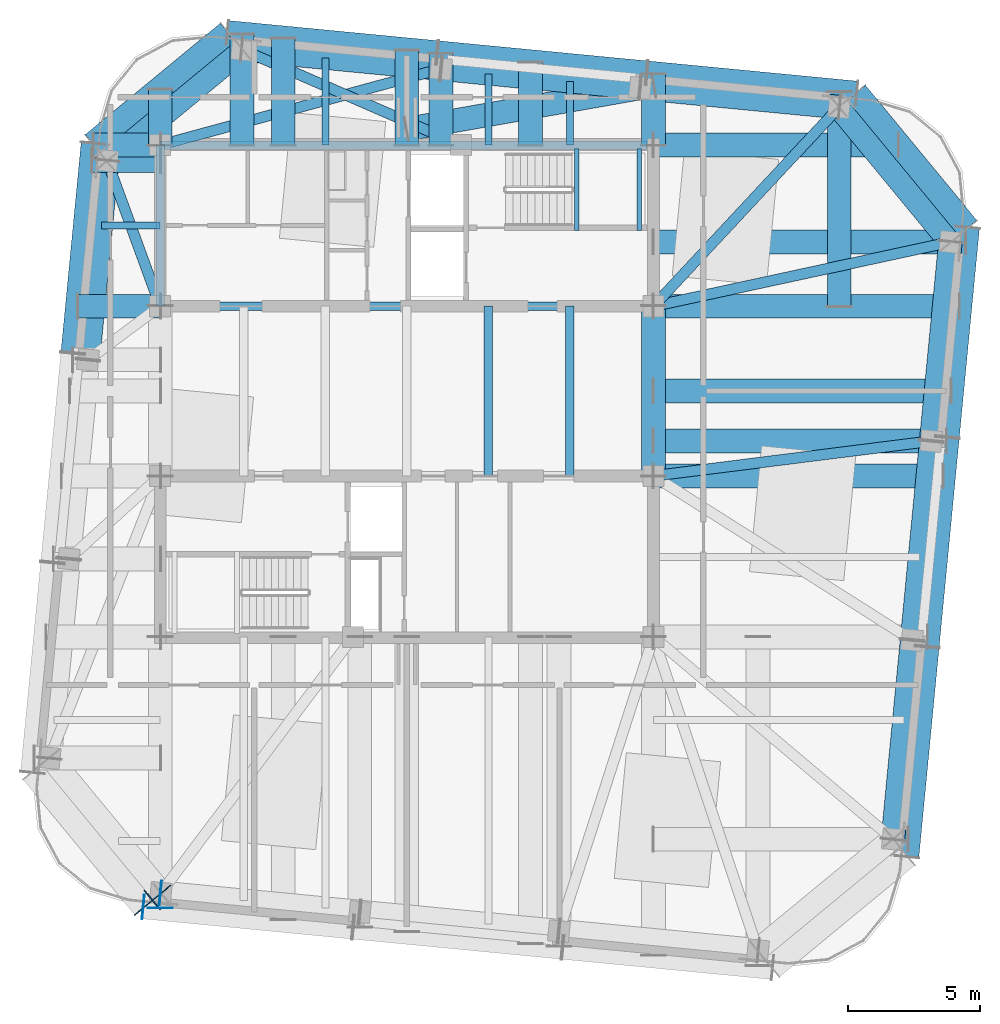
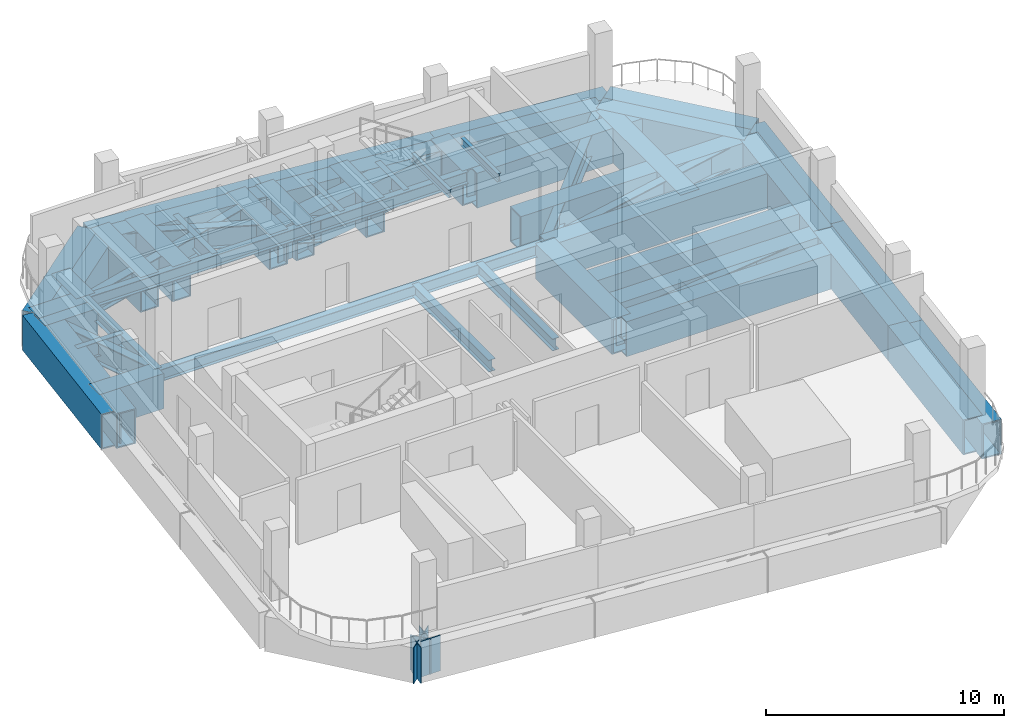
# One storey, part 2 of 10: 54 beams, 6 plates.
"""IFC4 building model written with IfcOpenShell, lengths in metres."""

from ifc_helpers import new_model, si_unit, direction, frame, origin, origin_2d, place, context, subcontext, project, spatial, rectangle, hollow_rectangle, i_section, extrude, material, layer, layer_set, material_profile, profile_set, type_object, element, save


model = new_model("IFC4")

# Units and contexts
model_context = context("Model", 3, precision=1e-05, world=origin(), true_north=direction((0.0, 1.0)))
body_context = subcontext(model_context, "Body", "Model", "MODEL_VIEW")
ifc_project = project(units=[si_unit("LENGTHUNIT", "METRE"), si_unit("AREAUNIT", "SQUARE_METRE"), si_unit("VOLUMEUNIT", "CUBIC_METRE"), si_unit("PLANEANGLEUNIT", "RADIAN"), si_unit("MASSUNIT", "GRAM", prefix="KILO")], contexts=[model_context])

# Site, building, storey
site_placement = place(None, origin())
site = spatial("IfcSite", under=ifc_project, at=site_placement, CompositionType="ELEMENT")
building_placement = place(site_placement, origin())
building = spatial("IfcBuilding", under=site, at=building_placement, Name="Qhalaya Broadcast Tower", CompositionType="ELEMENT")
storey_placement = place(building_placement, frame((0.0, 0.0, 289.25)))
storey = spatial("IfcBuildingStorey", under=building, at=storey_placement, Name="L85", CompositionType="ELEMENT", Elevation=289.25)

# Beams
ifc_material_1 = material(Name="Structural Steel ASTM A572 Grade 50", Category="steel")
ifc_material_profile_1 = material_profile(ifc_material_1, hollow_rectangle(XDim=0.89990234375, YDim=1.800048828125, WallThickness=0.06005859375, at=origin_2d()), Name="BOX 900x1800x60")
ifc_profile_set_1 = profile_set([ifc_material_profile_1], Name="Structural Steel ASTM A572 Grade 50")
beam_type_1 = type_object("IfcBeamType", Name="Block Cantilever Transfer Box Girder TG1", PredefinedType="USERDEFINED", material=ifc_profile_set_1)
beam_1_placement = place(storey_placement, frame((18.47314453125, -16.4306640625, -1.179931640625), z_axis=(0.095855022822, 0.995395305695, 0.0), x_axis=(-0.995395305695, 0.095855022822, 0.0)))
element("IfcBeam", 1, at=beam_1_placement, inside=storey, type_object=beam_type_1, Name="L85 TG1 L85-SPR-05", ObjectType="GIRDER", PredefinedType="USERDEFINED", context=body_context, shape_type="SweptSolid", body=[
    extrude(hollow_rectangle(XDim=0.89990234375, YDim=1.800048828125, WallThickness=0.06005859375, at=origin_2d()), origin(), (0.0, 0.0, 1.0), 7.60009765625),
])
for number, where, z_axis, x_axis, name in (
    (2, (19.20166015625, -8.865478515625, -1.179931640625), (0.095858087892, 0.995395010529, 0.0), (-0.995395010529, 0.095858087892, 0.0), "L85 TG1 L85-SPR-06"),
    (3, (19.93017578125, -1.300537109375, -1.179931640625), (0.095826258901, 0.995398075197, 0.0), (-0.995398075197, 0.095826258901, 0.0), "L85 TG1 L85-SPR-07"),
):
    element("IfcBeam", number, at=place(storey_placement, frame(where, z_axis=z_axis, x_axis=x_axis)), inside=storey, type_object=beam_type_1, Name=name, ObjectType="GIRDER", PredefinedType="USERDEFINED", context=body_context, shape_type="SweptSolid", body=[
        extrude(hollow_rectangle(XDim=0.89990234375, YDim=1.800048828125, WallThickness=0.06005859375, at=origin_2d()), origin(), (0.0, 0.0, 1.0), 7.599853515625),
    ])
beam_2_placement = place(storey_placement, frame((20.658447265625, 6.264404296875, -1.179931640625), z_axis=(-0.636063812645, 0.771636459898, 0.0), x_axis=(-0.771636459898, -0.636063812645, 0.0)))
element("IfcBeam", 4, at=beam_2_placement, inside=storey, type_object=beam_type_1, Name="L85 TG1 L85-SPR-08", ObjectType="GIRDER", PredefinedType="USERDEFINED", context=body_context, shape_type="SweptSolid", body=[
    extrude(hollow_rectangle(XDim=0.89990234375, YDim=1.800048828125, WallThickness=0.06005859375, at=origin_2d()), origin(), (0.0, 0.0, 1.0), 6.646728515625),
])
beam_3_placement = place(storey_placement, frame((16.4306640625, 11.393310546875, -1.179931640625), z_axis=(-0.995398370168, 0.09582319483, 0.0), x_axis=(-0.09582319483, -0.995398370168, 0.0)))
element("IfcBeam", 5, at=beam_3_placement, inside=storey, type_object=beam_type_1, Name="L85 TG1 L85-SPR-09", ObjectType="GIRDER", PredefinedType="USERDEFINED", context=body_context, shape_type="SweptSolid", body=[
    extrude(hollow_rectangle(XDim=0.89990234375, YDim=1.800048828125, WallThickness=0.06005859375, at=origin_2d()), origin(), (0.0, 0.0, 1.0), 7.60009765625),
])
for number, where, z_axis, x_axis, name in (
    (6, (8.865478515625, 12.12158203125, -1.179931640625), (-0.995395010529, 0.095858087892, 0.0), (-0.095858087892, -0.995395010529, 0.0), "L85 TG1 L85-SPR-10"),
    (7, (1.300537109375, 12.85009765625, -1.179931640625), (-0.995395010529, 0.095858087892, 0.0), (-0.095858087892, -0.995395010529, 0.0), "L85 TG1 L85-SPR-11"),
):
    element("IfcBeam", number, at=place(storey_placement, frame(where, z_axis=z_axis, x_axis=x_axis)), inside=storey, type_object=beam_type_1, Name=name, ObjectType="GIRDER", PredefinedType="USERDEFINED", context=body_context, shape_type="SweptSolid", body=[
        extrude(hollow_rectangle(XDim=0.89990234375, YDim=1.800048828125, WallThickness=0.06005859375, at=origin_2d()), origin(), (0.0, 0.0, 1.0), 7.599853515625),
    ])
beam_4_placement = place(storey_placement, frame((-6.264404296875, 13.57861328125, -1.179931640625), z_axis=(-0.771618432262, -0.636085682117, 0.0), x_axis=(0.636085682117, -0.771618432262, 0.0)))
element("IfcBeam", 8, at=beam_4_placement, inside=storey, type_object=beam_type_1, Name="L85 TG1 L85-SPR-12", ObjectType="GIRDER", PredefinedType="USERDEFINED", context=body_context, shape_type="SweptSolid", body=[
    extrude(hollow_rectangle(XDim=0.89990234375, YDim=1.800048828125, WallThickness=0.06005859375, at=origin_2d()), origin(), (0.0, 0.0, 1.0), 6.64697265625),
])
beam_5_placement = place(storey_placement, frame((-11.393310546875, 9.3505859375, -1.179931640625), z_axis=(-0.095826258901, -0.995398075197, 0.0), x_axis=(0.995398075197, -0.095826258901, 0.0)))
element("IfcBeam", 9, at=beam_5_placement, inside=storey, type_object=beam_type_1, Name="L85 TG1 L85-SPR-13", ObjectType="GIRDER", PredefinedType="USERDEFINED", context=body_context, shape_type="SweptSolid", body=[
    extrude(hollow_rectangle(XDim=0.89990234375, YDim=1.800048828125, WallThickness=0.06005859375, at=origin_2d()), origin(), (0.0, 0.0, 1.0), 7.599853515625),
])
beam_6_placement = place(storey_placement, frame((19.012939453125, -17.08544921875, -1.179931640625), z_axis=(0.095856036684, 0.995395208061, 0.0), x_axis=(-0.995395208061, 0.095856036684, 0.0)))
element("IfcBeam", 10, at=beam_6_placement, inside=storey, type_object=beam_type_1, Name="L85 TG1 L85-TGL-05", ObjectType="GIRDER", PredefinedType="USERDEFINED", context=body_context, shape_type="SweptSolid", body=[
    extrude(hollow_rectangle(XDim=0.89990234375, YDim=1.800048828125, WallThickness=0.06005859375, at=origin_2d()), origin(), (0.0, 0.0, 1.0), 8.0),
])
beam_7_placement = place(storey_placement, frame((19.77978515625, -9.122314453125, -1.179931640625), z_axis=(0.095822888434, 0.995398399663, 0.0), x_axis=(-0.995398399663, 0.095822888434, 0.0)))
element("IfcBeam", 11, at=beam_7_placement, inside=storey, type_object=beam_type_1, Name="L85 TG1 L85-TGL-06", ObjectType="GIRDER", PredefinedType="USERDEFINED", context=body_context, shape_type="SweptSolid", body=[
    extrude(hollow_rectangle(XDim=0.89990234375, YDim=1.800048828125, WallThickness=0.06005859375, at=origin_2d()), origin(), (0.0, 0.0, 1.0), 8.000244140625),
])
beam_8_placement = place(storey_placement, frame((20.54638671875, -1.158935546875, -1.179931640625), z_axis=(0.095856036684, 0.995395208061, 0.0), x_axis=(-0.995395208061, 0.095856036684, 0.0)))
element("IfcBeam", 12, at=beam_8_placement, inside=storey, type_object=beam_type_1, Name="L85 TG1 L85-TGL-07", ObjectType="GIRDER", PredefinedType="USERDEFINED", context=body_context, shape_type="SweptSolid", body=[
    extrude(hollow_rectangle(XDim=0.89990234375, YDim=1.800048828125, WallThickness=0.06005859375, at=origin_2d()), origin(), (0.0, 0.0, 1.0), 8.0),
])
beam_9_placement = place(storey_placement, frame((21.313232421875, 6.80419921875, -1.179931640625), z_axis=(-0.636063812645, 0.771636459898, 0.0), x_axis=(-0.771636459898, -0.636063812645, 0.0)))
element("IfcBeam", 13, at=beam_9_placement, inside=storey, type_object=beam_type_1, Name="L85 TG1 L85-TGL-08", ObjectType="GIRDER", PredefinedType="USERDEFINED", context=body_context, shape_type="SweptSolid", body=[
    extrude(hollow_rectangle(XDim=0.89990234375, YDim=1.800048828125, WallThickness=0.06005859375, at=origin_2d()), origin(), (0.0, 0.0, 1.0), 6.646728515625),
])
beam_10_placement = place(storey_placement, frame((17.08544921875, 11.93310546875, -1.179931640625), z_axis=(-0.995398119444, 0.095825799278, 0.0), x_axis=(-0.095825799278, -0.995398119444, 0.0)))
element("IfcBeam", 14, at=beam_10_placement, inside=storey, type_object=beam_type_1, Name="L85 TG1 L85-TGL-09", ObjectType="GIRDER", PredefinedType="USERDEFINED", context=body_context, shape_type="SweptSolid", body=[
    extrude(hollow_rectangle(XDim=0.89990234375, YDim=1.800048828125, WallThickness=0.06005859375, at=origin_2d()), origin(), (0.0, 0.0, 1.0), 8.0),
])
beam_11_placement = place(storey_placement, frame((9.122314453125, 12.69970703125, -1.179931640625), z_axis=(-0.995395488456, 0.095853124938, 0.0), x_axis=(-0.095853124938, -0.995395488456, 0.0)))
element("IfcBeam", 15, at=beam_11_placement, inside=storey, type_object=beam_type_1, Name="L85 TG1 L85-TGL-10", ObjectType="GIRDER", PredefinedType="USERDEFINED", context=body_context, shape_type="SweptSolid", body=[
    extrude(hollow_rectangle(XDim=0.89990234375, YDim=1.800048828125, WallThickness=0.06005859375, at=origin_2d()), origin(), (0.0, 0.0, 1.0), 8.000244140625),
])
beam_12_placement = place(storey_placement, frame((1.158935546875, 13.466552734375, -1.179931640625), z_axis=(-0.995395208061, 0.095856036684, 0.0), x_axis=(-0.095856036684, -0.995395208061, 0.0)))
element("IfcBeam", 16, at=beam_12_placement, inside=storey, type_object=beam_type_1, Name="L85 TG1 L85-TGL-11", ObjectType="GIRDER", PredefinedType="USERDEFINED", context=body_context, shape_type="SweptSolid", body=[
    extrude(hollow_rectangle(XDim=0.89990234375, YDim=1.800048828125, WallThickness=0.06005859375, at=origin_2d()), origin(), (0.0, 0.0, 1.0), 8.0),
])
beam_13_placement = place(storey_placement, frame((-6.80419921875, 14.2333984375, -1.179931640625), z_axis=(-0.771618432262, -0.636085682117, 0.0), x_axis=(0.636085682117, -0.771618432262, 0.0)))
element("IfcBeam", 17, at=beam_13_placement, inside=storey, type_object=beam_type_1, Name="L85 TG1 L85-TGL-12", ObjectType="GIRDER", PredefinedType="USERDEFINED", context=body_context, shape_type="SweptSolid", body=[
    extrude(hollow_rectangle(XDim=0.89990234375, YDim=1.800048828125, WallThickness=0.06005859375, at=origin_2d()), origin(), (0.0, 0.0, 1.0), 6.64697265625),
])
beam_14_placement = place(storey_placement, frame((-11.93310546875, 10.00537109375, -1.179931640625), z_axis=(-0.095825799278, -0.995398119444, 0.0), x_axis=(0.995398119444, -0.095825799278, 0.0)))
element("IfcBeam", 18, at=beam_14_placement, inside=storey, type_object=beam_type_1, Name="L85 TG1 L85-TGL-13", ObjectType="GIRDER", PredefinedType="USERDEFINED", context=body_context, shape_type="SweptSolid", body=[
    extrude(hollow_rectangle(XDim=0.89990234375, YDim=1.800048828125, WallThickness=0.06005859375, at=origin_2d()), origin(), (0.0, 0.0, 1.0), 8.0),
])
beam_15_placement = place(storey_placement, frame((-9.375, 9.949951171875, -1.179931640625), z_axis=(0.0, 1.0, 0.0), x_axis=(-1.0, 0.0, 0.0)))
element("IfcBeam", 19, at=beam_15_placement, inside=storey, type_object=beam_type_1, Name="L85 TG1 L85-TGINW-1", ObjectType="GIRDER", PredefinedType="USERDEFINED", context=body_context, shape_type="SweptSolid", body=[
    extrude(hollow_rectangle(XDim=0.89990234375, YDim=1.800048828125, WallThickness=0.06005859375, at=origin_2d()), origin(), (0.0, 0.0, 1.0), 2.1123046875),
])
beam_16_placement = place(storey_placement, frame((9.375, 9.949951171875, -1.179931640625), z_axis=(0.0, 1.0, 0.0), x_axis=(-1.0, 0.0, 0.0)))
element("IfcBeam", 20, at=beam_16_placement, inside=storey, type_object=beam_type_1, Name="L85 TG1 L85-TGINE-1", ObjectType="GIRDER", PredefinedType="USERDEFINED", context=body_context, shape_type="SweptSolid", body=[
    extrude(hollow_rectangle(XDim=0.89990234375, YDim=1.800048828125, WallThickness=0.06005859375, at=origin_2d()), origin(), (0.0, 0.0, 1.0), 2.685302734375),
])
beam_17_placement = place(storey_placement, frame((0.0, 9.949951171875, -1.179931640625), z_axis=(0.0, 1.0, 0.0), x_axis=(-1.0, 0.0, 0.0)))
element("IfcBeam", 21, at=beam_17_placement, inside=storey, type_object=beam_type_1, Name="L85 TG1 L85-TGIMN-1", ObjectType="GIRDER", PredefinedType="USERDEFINED", context=body_context, shape_type="SweptSolid", body=[
    extrude(hollow_rectangle(XDim=0.89990234375, YDim=1.800048828125, WallThickness=0.06005859375, at=origin_2d()), origin(), (0.0, 0.0, 1.0), 3.587890625),
])
beam_18_placement = place(storey_placement, frame((-4.699951171875, 9.949951171875, -1.179931640625), z_axis=(0.0, 1.0, 0.0), x_axis=(-1.0, 0.0, 0.0)))
element("IfcBeam", 22, at=beam_18_placement, inside=storey, type_object=beam_type_1, Name="L85 TG1 L85-TGIMNW-1", ObjectType="GIRDER", PredefinedType="USERDEFINED", context=body_context, shape_type="SweptSolid", body=[
    extrude(hollow_rectangle(XDim=0.89990234375, YDim=1.800048828125, WallThickness=0.06005859375, at=origin_2d()), origin(), (0.0, 0.0, 1.0), 4.04052734375),
])
beam_19_placement = place(storey_placement, frame((9.375, 0.60009765625, -1.179931640625), z_axis=(1.0, 0.0, 0.0), x_axis=(0.0, 1.0, 0.0)))
element("IfcBeam", 23, at=beam_19_placement, inside=storey, type_object=beam_type_1, Name="L85 TG1 L85-TGIYE-1", ObjectType="GIRDER", PredefinedType="USERDEFINED", context=body_context, shape_type="SweptSolid", body=[
    extrude(hollow_rectangle(XDim=0.89990234375, YDim=1.800048828125, WallThickness=0.06005859375, at=origin_2d()), origin(), (0.0, 0.0, 1.0), 11.30078125),
])
beam_20_placement = place(storey_placement, frame((9.375, -2.625, -1.179931640625), z_axis=(0.0, 1.0, 0.0), x_axis=(-1.0, 0.0, 0.0)))
element("IfcBeam", 24, at=beam_20_placement, inside=storey, type_object=beam_type_1, Name="L85 TG1 L85-TGIME-1", ObjectType="GIRDER", PredefinedType="USERDEFINED", context=body_context, shape_type="SweptSolid", body=[
    extrude(hollow_rectangle(XDim=0.89990234375, YDim=1.800048828125, WallThickness=0.06005859375, at=origin_2d()), origin(), (0.0, 0.0, 1.0), 6.449951171875),
])
beam_21_placement = place(storey_placement, frame((9.375, -2.625, -1.179931640625), z_axis=(1.0, 0.0, 0.0), x_axis=(0.0, 1.0, 0.0)))
element("IfcBeam", 25, at=beam_21_placement, inside=storey, type_object=beam_type_1, Name="L85 TG1 L85-TGIY2E-1", ObjectType="GIRDER", PredefinedType="USERDEFINED", context=body_context, shape_type="SweptSolid", body=[
    extrude(hollow_rectangle(XDim=0.89990234375, YDim=1.800048828125, WallThickness=0.06005859375, at=origin_2d()), origin(), (0.0, 0.0, 1.0), 10.989990234375),
])
beam_22_placement = place(storey_placement, frame((-12.48779296875, 3.824951171875, -1.179931640625), z_axis=(1.0, 0.0, 0.0), x_axis=(0.0, 1.0, 0.0)))
element("IfcBeam", 26, at=beam_22_placement, inside=storey, type_object=beam_type_1, Name="L85 TG1 L85-TGIY3W-1", ObjectType="GIRDER", PredefinedType="USERDEFINED", context=body_context, shape_type="SweptSolid", body=[
    extrude(hollow_rectangle(XDim=0.89990234375, YDim=1.800048828125, WallThickness=0.06005859375, at=origin_2d()), origin(), (0.0, 0.0, 1.0), 3.11279296875),
])
beam_23_placement = place(storey_placement, frame((9.375, 3.824951171875, -1.179931640625), z_axis=(1.0, 0.0, 0.0), x_axis=(0.0, 1.0, 0.0)))
element("IfcBeam", 27, at=beam_23_placement, inside=storey, type_object=beam_type_1, Name="L85 TG1 L85-TGIY3E-1", ObjectType="GIRDER", PredefinedType="USERDEFINED", context=body_context, shape_type="SweptSolid", body=[
    extrude(hollow_rectangle(XDim=0.89990234375, YDim=1.800048828125, WallThickness=0.06005859375, at=origin_2d()), origin(), (0.0, 0.0, 1.0), 11.611083984375),
])
beam_24_placement = place(storey_placement, frame((-11.898193359375, 9.949951171875, -1.179931640625), z_axis=(1.0, 0.0, 0.0), x_axis=(0.0, 1.0, 0.0)))
element("IfcBeam", 28, at=beam_24_placement, inside=storey, type_object=beam_type_1, Name="L85 TG1 L85-TGIY4W-1", ObjectType="GIRDER", PredefinedType="USERDEFINED", context=body_context, shape_type="SweptSolid", body=[
    extrude(hollow_rectangle(XDim=0.89990234375, YDim=1.800048828125, WallThickness=0.06005859375, at=origin_2d()), origin(), (0.0, 0.0, 1.0), 2.523193359375),
])
beam_25_placement = place(storey_placement, frame((9.375, 9.949951171875, -1.179931640625), z_axis=(1.0, 0.0, 0.0), x_axis=(0.0, 1.0, 0.0)))
element("IfcBeam", 29, at=beam_25_placement, inside=storey, type_object=beam_type_1, Name="L85 TG1 L85-TGIY4E-1", ObjectType="GIRDER", PredefinedType="USERDEFINED", context=body_context, shape_type="SweptSolid", body=[
    extrude(hollow_rectangle(XDim=0.89990234375, YDim=1.800048828125, WallThickness=0.06005859375, at=origin_2d()), origin(), (0.0, 0.0, 1.0), 9.293212890625),
])
beam_26_placement = place(storey_placement, frame((9.375, -1.300537109375, -1.179931640625), z_axis=(1.0, 0.0, 0.0), x_axis=(0.0, 1.0, 0.0)))
element("IfcBeam", 30, at=beam_26_placement, inside=storey, type_object=beam_type_1, Name="L85 Spanning Transfer Box Girder 07", ObjectType="GIRDER", PredefinedType="USERDEFINED", context=body_context, shape_type="SweptSolid", body=[
    extrude(hollow_rectangle(XDim=0.89990234375, YDim=1.800048828125, WallThickness=0.06005859375, at=origin_2d()), origin(), (0.0, 0.0, 1.0), 11.11767578125),
])
beam_27_placement = place(storey_placement, frame((9.375, 6.264404296875, -1.179931640625), z_axis=(1.0, 0.0, 0.0), x_axis=(0.0, 1.0, 0.0)))
element("IfcBeam", 31, at=beam_27_placement, inside=storey, type_object=beam_type_1, Name="L85 Spanning Transfer Box Girder 08", ObjectType="GIRDER", PredefinedType="USERDEFINED", context=body_context, shape_type="SweptSolid", body=[
    extrude(hollow_rectangle(XDim=0.89990234375, YDim=1.800048828125, WallThickness=0.06005859375, at=origin_2d()), origin(), (0.0, 0.0, 1.0), 11.84619140625),
])
beam_28_placement = place(storey_placement, frame((16.4306640625, 3.824951171875, -1.179931640625), z_axis=(0.0, 1.0, 0.0), x_axis=(-1.0, 0.0, 0.0)))
element("IfcBeam", 32, at=beam_28_placement, inside=storey, type_object=beam_type_1, Name="L85 Spanning Transfer Box Girder 09", ObjectType="GIRDER", PredefinedType="USERDEFINED", context=body_context, shape_type="SweptSolid", body=[
    extrude(hollow_rectangle(XDim=0.89990234375, YDim=1.800048828125, WallThickness=0.06005859375, at=origin_2d()), origin(), (0.0, 0.0, 1.0), 8.130859375),
])
beam_29_placement = place(storey_placement, frame((0.0, 10.55859375, -1.179931640625), z_axis=(0.984811945761, 0.173624397729, 0.0), x_axis=(-0.173624397729, 0.984811945761, 0.0)))
element("IfcBeam", 33, at=beam_29_placement, inside=storey, type_object=beam_type_1, Name="L85 Spanning Transfer Box Girder 10", ObjectType="GIRDER", PredefinedType="USERDEFINED", context=body_context, shape_type="SweptSolid", body=[
    extrude(hollow_rectangle(XDim=0.89990234375, YDim=1.800048828125, WallThickness=0.06005859375, at=origin_2d()), origin(), (0.0, 0.0, 1.0), 9.51953125),
])
beam_30_placement = place(storey_placement, frame((1.300537109375, 9.949951171875, -1.179931640625), z_axis=(0.0, 1.0, 0.0), x_axis=(-1.0, 0.0, 0.0)))
element("IfcBeam", 34, at=beam_30_placement, inside=storey, type_object=beam_type_1, Name="L85 Spanning Transfer Box Girder 11", ObjectType="GIRDER", PredefinedType="USERDEFINED", context=body_context, shape_type="SweptSolid", body=[
    extrude(hollow_rectangle(XDim=0.89990234375, YDim=1.800048828125, WallThickness=0.06005859375, at=origin_2d()), origin(), (0.0, 0.0, 1.0), 3.462646484375),
])
beam_31_placement = place(storey_placement, frame((-6.264404296875, 9.949951171875, -1.179931640625), z_axis=(0.0, 1.0, 0.0), x_axis=(-1.0, 0.0, 0.0)))
element("IfcBeam", 35, at=beam_31_placement, inside=storey, type_object=beam_type_1, Name="L85 Spanning Transfer Box Girder 12", ObjectType="GIRDER", PredefinedType="USERDEFINED", context=body_context, shape_type="SweptSolid", body=[
    extrude(hollow_rectangle(XDim=0.89990234375, YDim=1.800048828125, WallThickness=0.06005859375, at=origin_2d()), origin(), (0.0, 0.0, 1.0), 4.191162109375),
])
beam_32_placement = place(storey_placement, frame((-11.955810546875, 9.3505859375, -1.179931640625), z_axis=(1.0, 0.0, 0.0), x_axis=(0.0, 1.0, 0.0)))
element("IfcBeam", 36, at=beam_32_placement, inside=storey, type_object=beam_type_1, Name="L85 Spanning Transfer Box Girder 13", ObjectType="GIRDER", PredefinedType="USERDEFINED", context=body_context, shape_type="SweptSolid", body=[
    extrude(hollow_rectangle(XDim=0.89990234375, YDim=1.800048828125, WallThickness=0.06005859375, at=origin_2d()), origin(), (0.0, 0.0, 1.0), 2.580810546875),
])
beam_33_placement = place(storey_placement, frame((4.699951171875, 9.949951171875, -1.179931640625), z_axis=(0.0, 1.0, 0.0), x_axis=(-1.0, 0.0, 0.0)))
element("IfcBeam", 37, at=beam_33_placement, inside=storey, type_object=beam_type_1, Name="L85 TG1 L85-TGIMNE-1", ObjectType="GIRDER", PredefinedType="USERDEFINED", context=body_context, shape_type="SweptSolid", body=[
    extrude(hollow_rectangle(XDim=0.89990234375, YDim=1.800048828125, WallThickness=0.06005859375, at=origin_2d()), origin(), (0.0, 0.0, 1.0), 3.13525390625),
])
ifc_material_2 = material(Name="Structural Steel ASTM A992 Grade 50", Category="steel")
ifc_material_profile_2 = material_profile(ifc_material_2, i_section(OverallWidth=0.323974609375, OverallDepth=0.612060546875, WebThickness=0.0126953125, FlangeThickness=0.01904296875, at=origin_2d()), Name="W24X104")
ifc_profile_set_2 = profile_set([ifc_material_profile_2], Name="Structural Steel ASTM A992 Grade 50")
beam_type_2 = type_object("IfcBeamType", Name="Core Frame Tie Beam B04", PredefinedType="BEAM", material=ifc_profile_set_2)
beam_34_placement = place(storey_placement, frame((-9.375, 3.824951171875, -0.5859375), z_axis=(1.0, 0.0, 0.0), x_axis=(0.0, 1.0, 0.0)))
element("IfcBeam", 38, at=beam_34_placement, inside=storey, type_object=beam_type_2, Name="L85 B04 L85-CCN1", PredefinedType="BEAM", context=body_context, shape_type="SweptSolid", body=[
    extrude(i_section(OverallWidth=0.323974609375, OverallDepth=0.612060546875, WebThickness=0.0126953125, FlangeThickness=0.01904296875, at=origin_2d()), origin(), (0.0, 0.0, 1.0), 18.75),
])
beam_35_placement = place(storey_placement, frame((-9.375, 3.824951171875, -0.5859375), z_axis=(0.0, 1.0, 0.0), x_axis=(-1.0, 0.0, 0.0)))
element("IfcBeam", 39, at=beam_35_placement, inside=storey, type_object=beam_type_2, Name="L85 B04 L85-CCN2", PredefinedType="BEAM", context=body_context, shape_type="SweptSolid", body=[
    extrude(i_section(OverallWidth=0.323974609375, OverallDepth=0.612060546875, WebThickness=0.0126953125, FlangeThickness=0.01904296875, at=origin_2d()), origin(), (0.0, 0.0, 1.0), 6.125),
])
beam_36_placement = place(storey_placement, frame((-9.375, 9.949951171875, -0.5859375), z_axis=(1.0, 0.0, 0.0), x_axis=(0.0, 1.0, 0.0)))
element("IfcBeam", 40, at=beam_36_placement, inside=storey, type_object=beam_type_2, Name="L85 B04 L85-CCN3", PredefinedType="BEAM", context=body_context, shape_type="SweptSolid", body=[
    extrude(i_section(OverallWidth=0.323974609375, OverallDepth=0.612060546875, WebThickness=0.0126953125, FlangeThickness=0.01904296875, at=origin_2d()), origin(), (0.0, 0.0, 1.0), 18.4951171875),
])
for number, where, z_axis, x_axis, name in (
    (41, (3.10009765625, -2.625, -0.5859375), (0.0, 1.0, 0.0), (-1.0, 0.0, 0.0), "L85 B04 L85-JC4-1"),
    (42, (6.199951171875, -2.625, -0.5859375), (0.0, 1.0, 0.0), (-1.0, 0.0, 0.0), "L85 B04 L85-JC5-1"),
):
    element("IfcBeam", number, at=place(storey_placement, frame(where, z_axis=z_axis, x_axis=x_axis)), inside=storey, type_object=beam_type_2, Name=name, PredefinedType="BEAM", context=body_context, shape_type="SweptSolid", body=[
        extrude(i_section(OverallWidth=0.323974609375, OverallDepth=0.612060546875, WebThickness=0.0126953125, FlangeThickness=0.01904296875, at=origin_2d()), origin(), (0.0, 0.0, 1.0), 6.449951171875),
    ])
ifc_material_profile_3 = material_profile(ifc_material_2, i_section(OverallWidth=0.26708984375, OverallDepth=0.761962890625, WebThickness=0.014404296875, FlangeThickness=0.021484375, at=origin_2d()), Name="W30X116")
ifc_profile_set_3 = profile_set([ifc_material_profile_3], Name="Structural Steel ASTM A992 Grade 50")
beam_type_3 = type_object("IfcBeamType", Name="Plant & Server Floor Beam B02", PredefinedType="BEAM", material=ifc_profile_set_3)
beam_37_placement = place(storey_placement, frame((-3.10009765625, 9.949951171875, -0.660888671875), z_axis=(0.0, 1.0, 0.0), x_axis=(-1.0, 0.0, 0.0)))
element("IfcBeam", 43, at=beam_37_placement, inside=storey, type_object=beam_type_3, Name="L85 B02 L85-JNN2-1", PredefinedType="BEAM", context=body_context, shape_type="SweptSolid", body=[
    extrude(i_section(OverallWidth=0.26708984375, OverallDepth=0.761962890625, WebThickness=0.014404296875, FlangeThickness=0.021484375, at=origin_2d()), origin(), (0.0, 0.0, 1.0), 3.3037109375),
])
beam_38_placement = place(storey_placement, frame((3.10009765625, 9.949951171875, -0.660888671875), z_axis=(0.0, 1.0, 0.0), x_axis=(-1.0, 0.0, 0.0)))
element("IfcBeam", 44, at=beam_38_placement, inside=storey, type_object=beam_type_3, Name="L85 B02 L85-JNN4-1", PredefinedType="BEAM", context=body_context, shape_type="SweptSolid", body=[
    extrude(i_section(OverallWidth=0.26708984375, OverallDepth=0.761962890625, WebThickness=0.014404296875, FlangeThickness=0.021484375, at=origin_2d()), origin(), (0.0, 0.0, 1.0), 2.706787109375),
])
beam_39_placement = place(storey_placement, frame((6.199951171875, 9.949951171875, -0.660888671875), z_axis=(0.0, 1.0, 0.0), x_axis=(-1.0, 0.0, 0.0)))
element("IfcBeam", 45, at=beam_39_placement, inside=storey, type_object=beam_type_3, Name="L85 B02 L85-JNN5-1", PredefinedType="BEAM", context=body_context, shape_type="SweptSolid", body=[
    extrude(i_section(OverallWidth=0.26708984375, OverallDepth=0.761962890625, WebThickness=0.014404296875, FlangeThickness=0.021484375, at=origin_2d()), origin(), (0.0, 0.0, 1.0), 2.408447265625),
])
beam_40_placement = place(storey_placement, frame((-11.609130859375, 6.89990234375, -0.660888671875), z_axis=(1.0, 0.0, 0.0), x_axis=(0.0, 1.0, 0.0)))
element("IfcBeam", 46, at=beam_40_placement, inside=storey, type_object=beam_type_3, Name="L85 B02 L85-JWE5W-1", PredefinedType="BEAM", context=body_context, shape_type="SweptSolid", body=[
    extrude(i_section(OverallWidth=0.26708984375, OverallDepth=0.761962890625, WebThickness=0.014404296875, FlangeThickness=0.021484375, at=origin_2d()), origin(), (0.0, 0.0, 1.0), 2.234130859375),
])
ifc_material_profile_4 = material_profile(ifc_material_2, i_section(OverallWidth=0.404052734375, OverallDepth=1.117919921875, WebThickness=0.026123046875, FlangeThickness=0.044921875, at=origin_2d()), Name="W44X335")
ifc_profile_set_4 = profile_set([ifc_material_profile_4], Name="Structural Steel ASTM A992 Grade 50")
beam_type_4 = type_object("IfcBeamType", Name="Podium Long-Span Primary Girder PG1", PredefinedType="USERDEFINED", material=ifc_profile_set_4)
beam_41_placement = place(storey_placement, frame((9.375, -2.625, -0.839111328125), z_axis=(0.99221915523, 0.124503606354, 0.0), x_axis=(-0.124503606354, 0.99221915523, 0.0)))
element("IfcBeam", 47, at=beam_41_placement, inside=storey, type_object=beam_type_4, Name="L85 Column-to-Column Moment Tie Girder 07-1", ObjectType="GIRDER", PredefinedType="USERDEFINED", context=body_context, shape_type="SweptSolid", body=[
    extrude(i_section(OverallWidth=0.404052734375, OverallDepth=1.117919921875, WebThickness=0.026123046875, FlangeThickness=0.044921875, at=origin_2d()), origin(), (0.0, 0.0, 1.0), 10.637939453125),
])
beam_42_placement = place(storey_placement, frame((9.375, 3.824951171875, -0.839111328125), z_axis=(0.977417943374, 0.211315318826, 0.0), x_axis=(-0.211315318826, 0.977417943374, 0.0)))
element("IfcBeam", 48, at=beam_42_placement, inside=storey, type_object=beam_type_4, Name="L85 Column-to-Column Moment Tie Girder 08-1", ObjectType="GIRDER", PredefinedType="USERDEFINED", context=body_context, shape_type="SweptSolid", body=[
    extrude(i_section(OverallWidth=0.404052734375, OverallDepth=1.117919921875, WebThickness=0.026123046875, FlangeThickness=0.044921875, at=origin_2d()), origin(), (0.0, 0.0, 1.0), 11.544189453125),
])
beam_43_placement = place(storey_placement, frame((9.375, 3.824951171875, -0.839111328125), z_axis=(0.681897797677, 0.731447464636, 0.0), x_axis=(-0.731447464636, 0.681897797677, 0.0)))
element("IfcBeam", 49, at=beam_43_placement, inside=storey, type_object=beam_type_4, Name="L85 Column-to-Column Moment Tie Girder 09-1", ObjectType="GIRDER", PredefinedType="USERDEFINED", context=body_context, shape_type="SweptSolid", body=[
    extrude(i_section(OverallWidth=0.404052734375, OverallDepth=1.117919921875, WebThickness=0.026123046875, FlangeThickness=0.044921875, at=origin_2d()), origin(), (0.0, 0.0, 1.0), 10.34716796875),
])
beam_44_placement = place(storey_placement, frame((-9.375, 9.949951171875, -0.839111328125), z_axis=(0.965024104691, 0.262161166776, 0.0), x_axis=(-0.262161166776, 0.965024104691, 0.0)))
element("IfcBeam", 50, at=beam_44_placement, inside=storey, type_object=beam_type_4, Name="L85 Column-to-Column Moment Tie Girder 11-2", ObjectType="GIRDER", PredefinedType="USERDEFINED", context=body_context, shape_type="SweptSolid", body=[
    extrude(i_section(OverallWidth=0.404052734375, OverallDepth=1.117919921875, WebThickness=0.026123046875, FlangeThickness=0.044921875, at=origin_2d()), origin(), (0.0, 0.0, 1.0), 11.0625),
])
beam_45_placement = place(storey_placement, frame((2.050048828125, 9.949951171875, -0.839111328125), z_axis=(-0.916517673974, 0.399994191575, 0.0), x_axis=(-0.399994191575, -0.916517673974, 0.0)))
element("IfcBeam", 51, at=beam_45_placement, inside=storey, type_object=beam_type_4, Name="L85 Column-to-Column Moment Tie Girder 12-2", ObjectType="GIRDER", PredefinedType="USERDEFINED", context=body_context, shape_type="SweptSolid", body=[
    extrude(i_section(OverallWidth=0.404052734375, OverallDepth=1.117919921875, WebThickness=0.026123046875, FlangeThickness=0.044921875, at=origin_2d()), origin(), (0.0, 0.0, 1.0), 9.07177734375),
])
beam_46_placement = place(storey_placement, frame((-9.375, 3.824951171875, -0.839111328125), z_axis=(-0.343092264302, 0.939301707747, 0.0), x_axis=(-0.939301707747, -0.343092264302, 0.0)))
element("IfcBeam", 52, at=beam_46_placement, inside=storey, type_object=beam_type_4, Name="L85 Column-to-Column Moment Tie Girder 13-2", ObjectType="GIRDER", PredefinedType="USERDEFINED", context=body_context, shape_type="SweptSolid", body=[
    extrude(i_section(OverallWidth=0.404052734375, OverallDepth=1.117919921875, WebThickness=0.026123046875, FlangeThickness=0.044921875, at=origin_2d()), origin(), (0.0, 0.0, 1.0), 5.8828125),
])
ifc_material_profile_5 = material_profile(ifc_material_2, i_section(OverallWidth=0.177978515625, OverallDepth=0.406005859375, WebThickness=0.0078125, FlangeThickness=0.0126953125, at=origin_2d()), Name="W16X40")
ifc_profile_set_5 = profile_set([ifc_material_profile_5], Name="Structural Steel ASTM A992 Grade 50")
beam_type_5 = type_object("IfcBeamType", Name="Upper Perimeter Spandrel Beam SP2", PredefinedType="SPANDREL", material=ifc_profile_set_5)
for number, where, z_axis, x_axis, name in (
    (53, (6.455078125, 6.699951171875, 1.39697265625), (0.0, 1.0, 0.0), (-1.0, 0.0, 0.0), "L85 ST-1 Half-Landing Bearer Beam 1"),
    (54, (8.830078125, 6.699951171875, 1.39697265625), (0.0, 1.0, 0.0), (-1.0, 0.0, 0.0), "L85 ST-1 Half-Landing Bearer Beam 2"),
):
    element("IfcBeam", number, at=place(storey_placement, frame(where, z_axis=z_axis, x_axis=x_axis)), inside=storey, type_object=beam_type_5, Name=name, PredefinedType="SPANDREL", context=body_context, shape_type="SweptSolid", body=[
        extrude(i_section(OverallWidth=0.177978515625, OverallDepth=0.406005859375, WebThickness=0.0078125, FlangeThickness=0.0126953125, at=origin_2d()), origin(), (0.0, 0.0, 1.0), 3.1201171875),
    ])

# Plates
ifc_layer_1 = layer(ifc_material_1, 0.4599609375, Name="Structural Steel ASTM A572 Grade 50")
ifc_layer_set_1 = layer_set([ifc_layer_1], Name="Structural Steel ASTM A572 Grade 50")
plate_type_1 = type_object("IfcPlateType", Name="Hollow Box Member End Cap Plate CP-01", PredefinedType="USERDEFINED", material=ifc_layer_set_1)
for number, where, z_axis, x_axis, name in (
    (55, (-9.366455078125, -18.4716796875, -2.10009765625), (0.0, 0.0, 1.0), (0.095863125447, 0.995394525392, 0.0), "L85 Hollow Girder End Cap L85-SPR-01-A"),
    (56, (-9.34033203125, -18.485595703125, -2.10009765625), (0.0, 0.0, 1.0), (0.771624583388, 0.636078220278, 0.0), "L85 Hollow Girder End Cap L85-SPR-16-B"),
    (57, (-10.021240234375, -19.011474609375, -2.10009765625), (0.0, 0.0, 1.0), (0.09584575252, 0.995396198367, 0.0), "L85 Hollow Girder End Cap L85-TGL-01-A"),
    (58, (-9.9951171875, -19.025390625, -2.10009765625), (0.0, 0.0, 1.0), (0.771624583388, 0.636078220278, 0.0), "L85 Hollow Girder End Cap L85-TGL-16-B"),
    (59, (-9.375, -19.049560546875, -2.10009765625), (0.0, 0.0, 1.0), (-1.0, 0.0, 0.0), "L85 Hollow Girder End Cap L85-TGISW-1-A"),
):
    element("IfcPlate", number, at=place(storey_placement, frame(where, z_axis=z_axis, x_axis=x_axis)), inside=storey, type_object=plate_type_1, Name=name, ObjectType="COVER_PLATE", PredefinedType="USERDEFINED", context=body_context, shape_type="SweptSolid", body=[
        extrude(rectangle(XDim=0.93994140625, YDim=0.031982421875, at=origin_2d()), origin(), (0.0, 0.0, 1.0), 1.840087890625),
    ])
ifc_layer_2 = layer(ifc_material_1, 0.044921875, Name="Structural Steel ASTM A572 Grade 50")
ifc_layer_set_2 = layer_set([ifc_layer_2], Name="Structural Steel ASTM A572 Grade 50")
plate_type_2 = type_object("IfcPlateType", Name="Transfer Girder Web Stiffener Plate WS-01", PredefinedType="USERDEFINED", material=ifc_layer_set_2)
plate_placement = place(storey_placement, frame((-9.677978515625, -18.7431640625, -2.080078125), z_axis=(0.0, 0.0, 1.0), x_axis=(-0.63609168757, 0.771613481611, 0.0)))
element("IfcPlate", 60, at=plate_placement, inside=storey, type_object=plate_type_2, Name="L85 Transfer Girder Stiffener 01", ObjectType="STIFFENER_PLATE", PredefinedType="USERDEFINED", context=body_context, shape_type="SweptSolid", body=[
    extrude(rectangle(XDim=0.93994140625, YDim=0.044921875, at=origin_2d()), origin(), (0.0, 0.0, 1.0), 1.800048828125),
])

save(model, "model.ifc")
